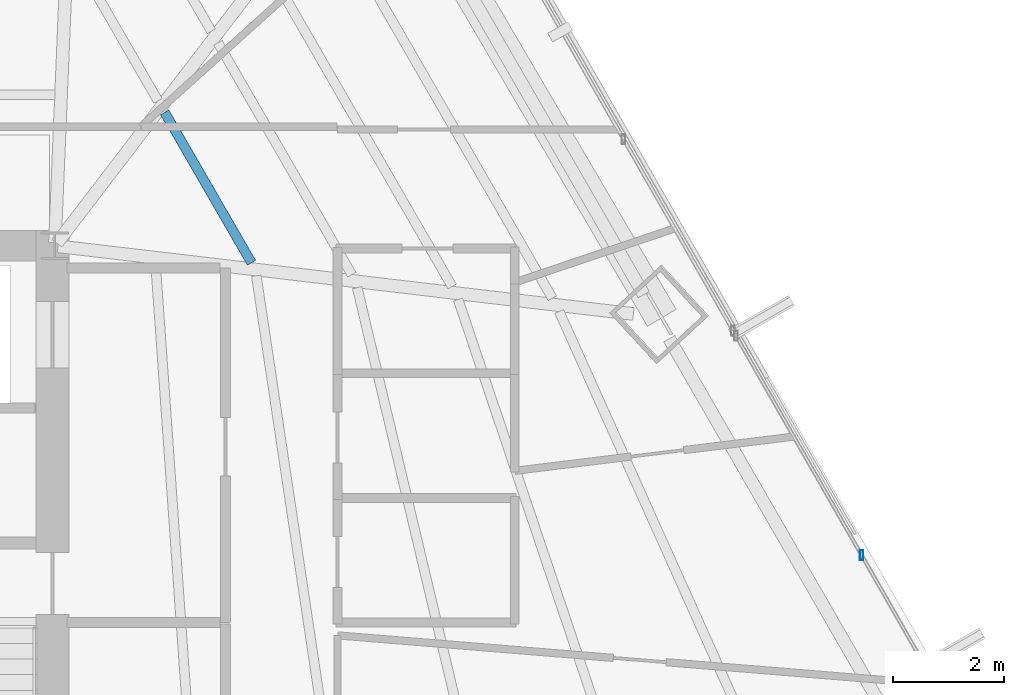
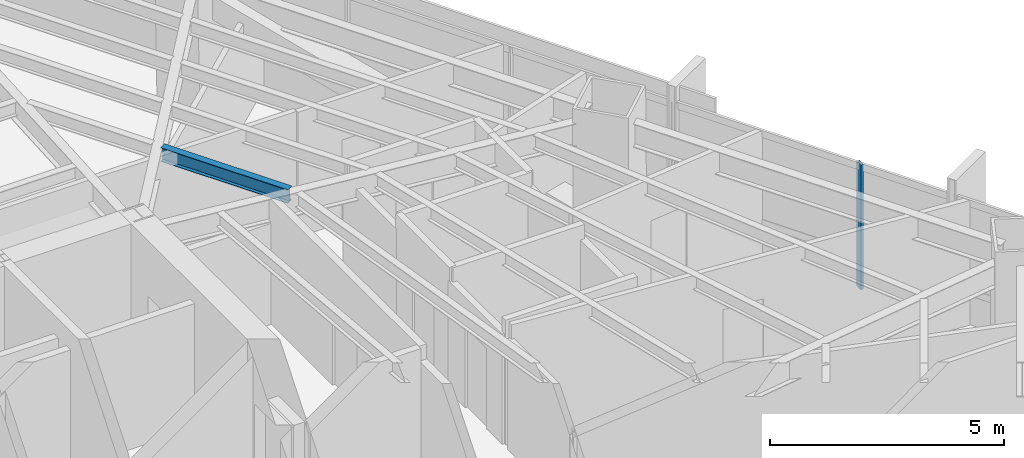
# One storey, part 21 of 39: 1 beam, 1 member, 1 element without a shape of its own.
"""IFC4 building model written with IfcOpenShell, lengths in metres."""

from ifc_helpers import new_model, si_unit, direction, frame, origin, origin_2d, place, context, subcontext, project, spatial, hollow_rectangle, i_section, extrude, source, transform, mapped, material, material_profile, profile_set, type_object, type_shapes, element, aggregate, save


model = new_model("IFC4")

# Units and contexts
model_context = context("Model", 3, precision=1e-05, world=origin(), true_north=direction((0.0, 1.0)))
body_context = subcontext(model_context, "Body", "Model", "MODEL_VIEW")
ifc_project = project(units=[si_unit("LENGTHUNIT", "METRE"), si_unit("AREAUNIT", "SQUARE_METRE"), si_unit("VOLUMEUNIT", "CUBIC_METRE"), si_unit("PLANEANGLEUNIT", "RADIAN"), si_unit("MASSUNIT", "GRAM", prefix="KILO")], contexts=[model_context])

# Site, building, storey
site_placement = place(None, origin())
site = spatial("IfcSite", under=ifc_project, at=site_placement, CompositionType="ELEMENT")
building_placement = place(site_placement, origin())
building = spatial("IfcBuilding", under=site, at=building_placement, Name="Caelisora Broadcast Tower", CompositionType="ELEMENT")
storey_placement = place(building_placement, frame((0.0, 0.0, 71.39990234375)))
storey = spatial("IfcBuildingStorey", under=building, at=storey_placement, Name="L18", CompositionType="ELEMENT", Elevation=71.39990234375)

# Beam
ifc_material_1 = material(Name="Steel Grade 350 (AS/NZS 3679.1)", Category="steel")
ifc_material_profile_1 = material_profile(ifc_material_1, i_section(OverallWidth=0.172119140625, OverallDepth=0.358642578125, WebThickness=0.008056640625, FlangeThickness=0.012939453125, at=origin_2d()), Name="Steel Grade 350 (AS/NZS 3679.1)")
ifc_profile_set_1 = profile_set([ifc_material_profile_1], Name="Steel Grade 350 (AS/NZS 3679.1)")
beam_type = type_object("IfcBeamType", Name="SB02", PredefinedType="JOIST", material=ifc_profile_set_1)
shared_shape_1 = source(origin(), body_context, "Body", "SweptSolid", [
    extrude(i_section(OverallWidth=0.172119140625, OverallDepth=0.358642578125, WebThickness=0.008056640625, FlangeThickness=0.012939453125, at=origin_2d()), origin(), (0.0, 0.0, 1.0), 3.134033203125),
])
type_shapes(beam_type, [shared_shape_1])
beam_placement = place(storey_placement, frame((49.050048828125, 29.6943359375, 3.07080078125), z_axis=(-0.499976457224, 0.866038995786, 0.0), x_axis=(-0.866038995786, -0.499976457224, 0.0)))
element("IfcBeam", 1, at=beam_placement, inside=storey, type_object=beam_type, Name="L18 beam SB02", PredefinedType="JOIST", context=body_context, shape_type="MappedRepresentation", body=[
    mapped(shared_shape_1, transform((0.0, 0.0, 0.0), scale=1.0)),
])

# Curtain wall, member
ifc_material_2 = material(Name="Unitised Aluminium and Low-E Glass Curtain Wall", Category="glass")
curtain_wall_type = type_object("IfcCurtainWallType", Name="CW-Z1", PredefinedType="NOTDEFINED", material=ifc_material_2)
curtain_wall_placement = place(storey_placement, origin())
curtain_wall = element("IfcCurtainWall", 2, at=curtain_wall_placement, inside=storey, type_object=curtain_wall_type, Name="L18 curtain wall CW-Z1", PredefinedType="NOTDEFINED")
ifc_material_3 = material(Name="Aluminium 6063-T6 Anodised Terracotta Bronze", Category="aluminium")
ifc_material_profile_2 = material_profile(ifc_material_3, hollow_rectangle(XDim=0.06494140625, YDim=0.179931640625, WallThickness=0.00341796875, at=origin_2d()), Name="Aluminium 6063-T6 Anodised Terracotta Bronze")
ifc_profile_set_2 = profile_set([ifc_material_profile_2], Name="Aluminium 6063-T6 Anodised Terracotta Bronze")
member_type = type_object("IfcMemberType", Name="CWM-02", PredefinedType="MULLION", material=ifc_profile_set_2)
shared_shape_2 = source(origin(), body_context, "Body", "SweptSolid", [
    extrude(hollow_rectangle(XDim=0.06494140625, YDim=0.179931640625, WallThickness=0.00341796875, at=origin_2d()), origin(), (0.0, 0.0, 1.0), 3.25),
])
type_shapes(member_type, [shared_shape_2])
member_placement = place(storey_placement, frame((60.060791015625, 24.417724609375, 0.0), z_axis=(0.0, 0.0, 1.0), x_axis=(1.0, 0.0, 0.0)))
member = element("IfcMember", 3, at=member_placement, type_object=member_type, Name="L18-CW-B03 mullion #1", PredefinedType="MULLION", context=body_context, shape_type="MappedRepresentation", body=[
    mapped(shared_shape_2, transform((0.0, 0.0, 0.0), scale=1.0)),
])
aggregate(curtain_wall, [member])

save(model, "model.ifc")
